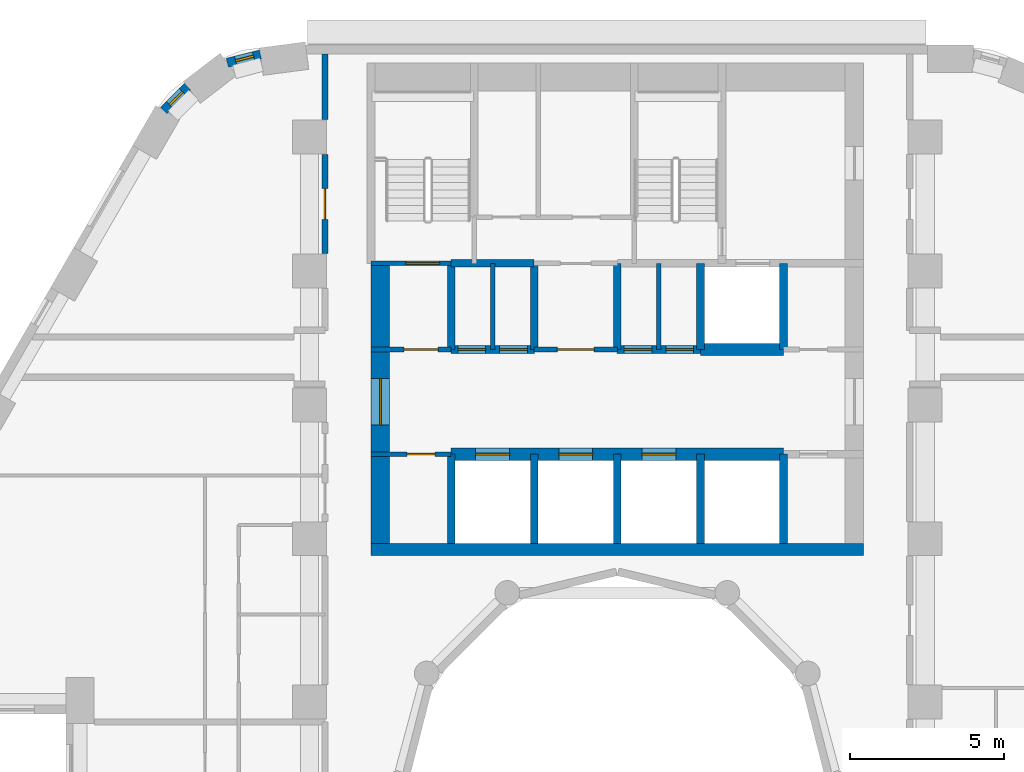
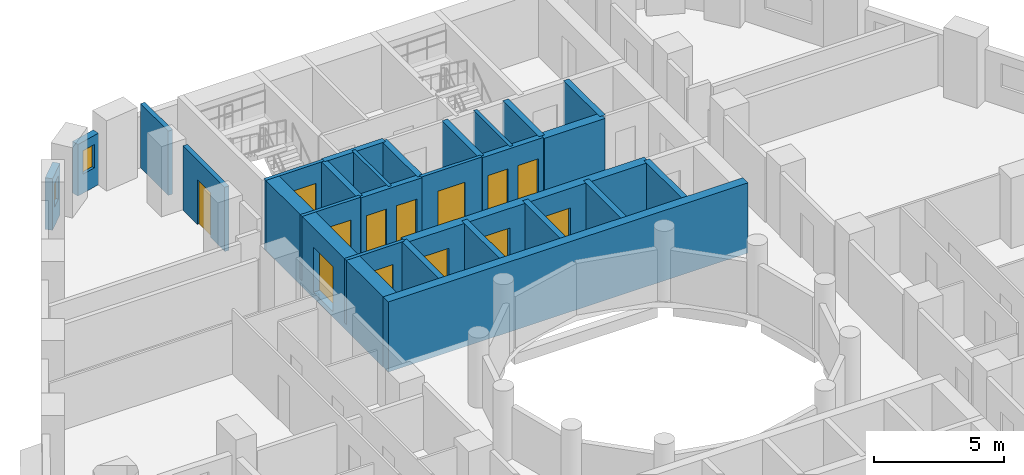
# One storey, part 7 of 12: 27 walls, 13 doors, 2 windows, 15 openings.
"""IFC4 building model written with IfcOpenShell, lengths in metres."""

from ifc_helpers import new_model, si_unit, direction, frame, frame_2d, origin, place, context, subcontext, project, spatial, rectangle, extrude, material, layer, layer_set, type_object, element, fill, save


model = new_model("IFC4")

# Units and contexts
model_context = context("Model", 3, precision=1e-05, world=origin(), true_north=direction((0.0, 1.0)))
body_context = subcontext(model_context, "Body", "Model", "MODEL_VIEW")
ifc_project = project(units=[si_unit("LENGTHUNIT", "METRE"), si_unit("AREAUNIT", "SQUARE_METRE"), si_unit("VOLUMEUNIT", "CUBIC_METRE"), si_unit("PLANEANGLEUNIT", "RADIAN"), si_unit("MASSUNIT", "GRAM", prefix="KILO")], contexts=[model_context])

# Site, building, storey
site_placement = place(None, origin())
site = spatial("IfcSite", under=ifc_project, at=site_placement, CompositionType="ELEMENT")
building_placement = place(site_placement, origin())
building = spatial("IfcBuilding", under=site, at=building_placement, Name="Nakaniwa Court", CompositionType="ELEMENT")
storey_placement = place(building_placement, frame((0.0, 0.0, 57.89990234375)))
storey = spatial("IfcBuildingStorey", under=building, at=storey_placement, Name="L15", CompositionType="ELEMENT", Elevation=57.89990234375)

# Wall, opening, door
ifc_material_1 = material(Name="Acoustic double stud partition")
ifc_layer_1 = layer(ifc_material_1, 0.199951171875)
ifc_layer_set_1 = layer_set([ifc_layer_1], Name="Acoustic double stud partition")
wall_type_1 = type_object("IfcWallType", Name="Acoustic double stud partition 200", PredefinedType="PARTITIONING", material=ifc_layer_set_1)
wall_1_placement = place(storey_placement, frame((70.5, 97.217041015625, 0.0), z_axis=(0.0, 0.0, 1.0), x_axis=(0.0, 1.0, 0.0)))
wall_1 = element("IfcWall", 1, at=wall_1_placement, inside=storey, type_object=wall_type_1, Name="Partition PW-109", PredefinedType="PARTITIONING", context=body_context, shape_type="SweptSolid", body=[
    extrude(rectangle(XDim=3.216064453125, YDim=0.199951171875, at=frame_2d((1.60791015625, 0.0))), origin(), (0.0, 0.0, 1.0), 3.025146484375),
])
opening_1_placement = place(wall_1_placement, frame((1.10791015625, 0.0, 0.0)))
opening_1 = element("IfcOpeningElement", 2, at=opening_1_placement, cuts=wall_1, Name="Opening D-02-04", PredefinedType="OPENING", context=body_context, shape_type="SweptSolid", body=[
    extrude(rectangle(XDim=1.0, YDim=2.10009765625, at=frame_2d((0.5, 1.050048828125))), frame((0.0, 0.10986328125, 0.0), z_axis=(0.0, -1.0, 0.0), x_axis=(1.0, 0.0, 0.0)), (0.0, 0.0, 1.0), 0.219970703125),
])
ifc_material_2 = material(Name="Solid core timber door set, black veneer", Category="wood")
door_type_1 = type_object("IfcDoorType", Name="Internal door 1000", OperationType="NOTDEFINED", PredefinedType="DOOR", material=ifc_material_2)
door_1_placement = place(opening_1_placement, origin())
door_1 = element("IfcDoor", 3, at=door_1_placement, inside=storey, type_object=door_type_1, Name="Door D-02-04 L15-052", OperationType="SINGLE_SWING_LEFT", OverallHeight=2.10009765625, OverallWidth=1.0, PredefinedType="DOOR", context=body_context, shape_type="SweptSolid", body=[
    extrude(rectangle(XDim=1.0, YDim=2.10009765625, at=frame_2d((0.5, 1.050048828125))), frame((0.0, 0.02490234375, 0.0), z_axis=(0.0, -1.0, 0.0), x_axis=(1.0, 0.0, 0.0)), (0.0, 0.0, 1.0), 0.050048828125),
])
fill(opening_1, door_1)

# Wall
wall_2_placement = place(storey_placement, frame((70.5, 101.56689453125, 0.0), z_axis=(0.0, 0.0, 1.0), x_axis=(0.0, 1.0, 0.0)))
element("IfcWall", 4, at=wall_2_placement, inside=storey, type_object=wall_type_1, Name="Partition PW-110", PredefinedType="PARTITIONING", context=body_context, shape_type="SweptSolid", body=[
    extrude(rectangle(XDim=2.133056640625, YDim=0.199951171875, at=frame_2d((1.06640625, 0.0))), origin(), (0.0, 0.0, 1.0), 3.025146484375),
])

# Wall, opening, window
ifc_material_3 = material(Name="Charcoal ceramic cladding")
ifc_layer_2 = layer(ifc_material_3, 0.02, Name="Ceramic cladding")
ifc_material_4 = material(Name="Ventilated air cavity")
ifc_layer_3 = layer(ifc_material_4, 0.04, ventilated=True, Name="Ventilated cavity")
ifc_material_5 = material(Name="Mineral wool insulation")
ifc_layer_4 = layer(ifc_material_5, 0.1, Name="Insulation")
ifc_material_6 = material(Name="Cement bonded sheathing board")
ifc_layer_5 = layer(ifc_material_6, 0.012, Name="Sheathing")
ifc_material_7 = material(Name="Cold-formed galvanised stud frame with mineral wool infill")
ifc_layer_6 = layer(ifc_material_7, 0.1, Name="Stud frame")
ifc_material_8 = material(Name="Fire-rated gypsum plasterboard lining")
ifc_layer_7 = layer(ifc_material_8, 0.028, Name="Lining")
ifc_layer_set_2 = layer_set([ifc_layer_2, ifc_layer_3, ifc_layer_4, ifc_layer_5, ifc_layer_6, ifc_layer_7], Name="Charcoal ceramic faced external wall system")
wall_type_2 = type_object("IfcWallType", Name="Black ceramic faced external wall 300", PredefinedType="SOLIDWALL", material=ifc_layer_set_2)
wall_3_placement = place(storey_placement, frame((68.4052734375, 103.68310546875, 0.0), z_axis=(0.0, 0.0, 1.0), x_axis=(-0.969766298956, -0.244035500304, 0.0)))
wall_3 = element("IfcWall", 5, at=wall_3_placement, inside=storey, type_object=wall_type_2, Name="L15 external wall 09", PredefinedType="SOLIDWALL", context=body_context, shape_type="SweptSolid", body=[
    extrude(rectangle(XDim=1.110595703125, YDim=0.300048828125, at=frame_2d((0.55517578125, 0.0))), origin(), (0.0, 0.0, 1.0), 2.425048828125),
])
opening_2_placement = place(wall_3_placement, frame((0.230712890625, 0.0, 0.89990234375)))
opening_2 = element("IfcOpeningElement", 6, at=opening_2_placement, cuts=wall_3, Name="Opening W8.07", PredefinedType="OPENING", context=body_context, shape_type="SweptSolid", body=[
    extrude(rectangle(XDim=0.60009765625, YDim=1.10009765625, at=frame_2d((0.300048828125, 0.550048828125))), frame((0.0, 0.159912109375, 0.0), z_axis=(0.0, -1.0, 0.0), x_axis=(1.0, 0.0, 0.0)), (0.0, 0.0, 1.0), 0.320068359375),
])
ifc_material_9 = material(Name="Black anodised aluminium frame with dark low-E laminated double glazing", Category="aluminium")
window_type = type_object("IfcWindowType", Name="Dark glass window 600x1100 sill 900", PartitioningType="SINGLE_PANEL", PredefinedType="WINDOW", material=ifc_material_9)
window_1_placement = place(opening_2_placement, origin())
window_1 = element("IfcWindow", 7, at=window_1_placement, inside=storey, type_object=window_type, Name="L15 habitable room window 09-0", OverallHeight=1.10009765625, OverallWidth=0.60009765625, PartitioningType="SINGLE_PANEL", PredefinedType="WINDOW", context=body_context, shape_type="SweptSolid", body=[
    extrude(rectangle(XDim=0.60009765625, YDim=1.10009765625, at=frame_2d((0.300048828125, 0.550048828125))), frame((0.0, 0.030029296875, 0.0), z_axis=(0.0, -1.0, 0.0), x_axis=(1.0, 0.0, 0.0)), (0.0, 0.0, 1.0), 0.06005859375),
])
fill(opening_2, window_1)

wall_4_placement = place(storey_placement, frame((66.04150390625, 102.637451171875, 0.0), z_axis=(0.0, 0.0, 1.0), x_axis=(-0.708892395813, -0.705316646024, 0.0)))
wall_4 = element("IfcWall", 8, at=wall_4_placement, inside=storey, type_object=wall_type_2, Name="L15 external wall 10", PredefinedType="SOLIDWALL", context=body_context, shape_type="SweptSolid", body=[
    extrude(rectangle(XDim=1.092529296875, YDim=0.300048828125, at=frame_2d((0.54638671875, 0.0))), origin(), (0.0, 0.0, 1.0), 2.425048828125),
])
opening_3_placement = place(wall_4_placement, frame((0.23583984375, 0.0, 0.89990234375)))
opening_3 = element("IfcOpeningElement", 9, at=opening_3_placement, cuts=wall_4, Name="Opening W8.08", PredefinedType="OPENING", context=body_context, shape_type="SweptSolid", body=[
    extrude(rectangle(XDim=0.60009765625, YDim=1.10009765625, at=frame_2d((0.300048828125, 0.550048828125))), frame((0.0, 0.159912109375, 0.0), z_axis=(0.0, -1.0, 0.0), x_axis=(1.0, 0.0, 0.0)), (0.0, 0.0, 1.0), 0.320068359375),
])
window_2_placement = place(opening_3_placement, origin())
window_2 = element("IfcWindow", 10, at=window_2_placement, inside=storey, type_object=window_type, Name="L15 habitable room window 10-0", OverallHeight=1.10009765625, OverallWidth=0.60009765625, PartitioningType="SINGLE_PANEL", PredefinedType="WINDOW", context=body_context, shape_type="SweptSolid", body=[
    extrude(rectangle(XDim=0.60009765625, YDim=1.10009765625, at=frame_2d((0.300048828125, 0.550048828125))), frame((0.0, 0.030029296875, 0.0), z_axis=(0.0, -1.0, 0.0), x_axis=(1.0, 0.0, 0.0)), (0.0, 0.0, 1.0), 0.06005859375),
])
fill(opening_3, window_2)

# Wall, opening, door
ifc_material_10 = material(Name="Blockwork partition", Category="masonry")
ifc_layer_8 = layer(ifc_material_10, 0.14990234375)
ifc_layer_set_3 = layer_set([ifc_layer_8], Name="Blockwork partition")
wall_type_3 = type_object("IfcWallType", Name="Blockwork partition 150", PredefinedType="PARTITIONING", material=ifc_layer_set_3)
wall_5_placement = place(storey_placement, frame((74.60009765625, 90.699951171875, 0.0), z_axis=(0.0, 0.0, 1.0), x_axis=(-1.0, 0.0, 0.0)))
wall_5 = element("IfcWall", 11, at=wall_5_placement, inside=storey, type_object=wall_type_3, Name="Partition PW-003", PredefinedType="PARTITIONING", context=body_context, shape_type="SweptSolid", body=[
    extrude(rectangle(XDim=2.60009765625, YDim=0.14990234375, at=frame_2d((1.300048828125, 0.0))), origin(), (0.0, 0.0, 1.0), 3.025146484375),
])
opening_4_placement = place(wall_5_placement, frame((0.52490234375, 0.0, 0.0)))
opening_4 = element("IfcOpeningElement", 12, at=opening_4_placement, cuts=wall_5, Name="Opening D-05-01", PredefinedType="OPENING", context=body_context, shape_type="SweptSolid", body=[
    extrude(rectangle(XDim=0.89990234375, YDim=2.10009765625, at=frame_2d((0.449951171875, 1.050048828125))), frame((0.0, 0.0849609375, 0.0), z_axis=(0.0, -1.0, 0.0), x_axis=(1.0, 0.0, 0.0)), (0.0, 0.0, 1.0), 0.169921875),
])
ifc_material_11 = material(Name="Fire rated steel door set", Category="steel")
door_type_2 = type_object("IfcDoorType", Name="Service room door 900", OperationType="NOTDEFINED", PredefinedType="DOOR", material=ifc_material_11)
door_2_placement = place(opening_4_placement, origin())
door_2 = element("IfcDoor", 13, at=door_2_placement, inside=storey, type_object=door_type_2, Name="Door D-05-01 L15-001", OperationType="SINGLE_SWING_RIGHT", OverallHeight=2.10009765625, OverallWidth=0.89990234375, PredefinedType="DOOR", context=body_context, shape_type="SweptSolid", body=[
    extrude(rectangle(XDim=0.89990234375, YDim=2.10009765625, at=frame_2d((0.449951171875, 1.050048828125))), frame((0.0, 0.02490234375, 0.0), z_axis=(0.0, -1.0, 0.0), x_axis=(1.0, 0.0, 0.0)), (0.0, 0.0, 1.0), 0.050048828125),
])
fill(opening_4, door_2)

wall_6_placement = place(storey_placement, frame((72.0, 94.10009765625, 0.0), z_axis=(0.0, 0.0, 1.0), x_axis=(1.0, 0.0, 0.0)))
wall_6 = element("IfcWall", 14, at=wall_6_placement, inside=storey, type_object=wall_type_3, Name="Partition PW-016", PredefinedType="PARTITIONING", context=body_context, shape_type="SweptSolid", body=[
    extrude(rectangle(XDim=2.60302734375, YDim=0.14990234375, at=frame_2d((1.301513671875, 0.0))), origin(), (0.0, 0.0, 1.0), 3.025146484375),
])
opening_5_placement = place(wall_6_placement, frame((1.074951171875, 0.0, 0.0)))
opening_5 = element("IfcOpeningElement", 15, at=opening_5_placement, cuts=wall_6, Name="Opening D-08-01", PredefinedType="OPENING", context=body_context, shape_type="SweptSolid", body=[
    extrude(rectangle(XDim=1.10009765625, YDim=2.10009765625, at=frame_2d((0.550048828125, 1.050048828125))), frame((0.0, 0.0849609375, 0.0), z_axis=(0.0, -1.0, 0.0), x_axis=(1.0, 0.0, 0.0)), (0.0, 0.0, 1.0), 0.169921875),
])
door_type_3 = type_object("IfcDoorType", Name="Stair lobby door 1100", OperationType="NOTDEFINED", PredefinedType="DOOR", material=ifc_material_11)
door_3_placement = place(opening_5_placement, origin())
door_3 = element("IfcDoor", 16, at=door_3_placement, inside=storey, type_object=door_type_3, Name="Door D-08-01 L15-003", OperationType="SINGLE_SWING_RIGHT", OverallHeight=2.10009765625, OverallWidth=1.10009765625, PredefinedType="DOOR", context=body_context, shape_type="SweptSolid", body=[
    extrude(rectangle(XDim=1.10009765625, YDim=2.10009765625, at=frame_2d((0.550048828125, 1.050048828125))), frame((0.0, 0.02490234375, 0.0), z_axis=(0.0, -1.0, 0.0), x_axis=(1.0, 0.0, 0.0)), (0.0, 0.0, 1.0), 0.050048828125),
])
fill(opening_5, door_3)

wall_7_placement = place(storey_placement, frame((77.297119140625, 94.10009765625, 0.0), z_axis=(0.0, 0.0, 1.0), x_axis=(1.0, 0.0, 0.0)))
wall_7 = element("IfcWall", 17, at=wall_7_placement, inside=storey, type_object=wall_type_3, Name="Partition PW-017", PredefinedType="PARTITIONING", context=body_context, shape_type="SweptSolid", body=[
    extrude(rectangle(XDim=2.705810546875, YDim=0.14990234375, at=frame_2d((1.35302734375, 0.0))), origin(), (0.0, 0.0, 1.0), 3.025146484375),
])
opening_6_placement = place(wall_7_placement, frame((0.7529296875, 0.0, 0.0)))
opening_6 = element("IfcOpeningElement", 18, at=opening_6_placement, cuts=wall_7, Name="Opening D-06-01", PredefinedType="OPENING", context=body_context, shape_type="SweptSolid", body=[
    extrude(rectangle(XDim=1.199951171875, YDim=2.10009765625, at=frame_2d((0.60009765625, 1.050048828125))), frame((0.0, 0.0849609375, 0.0), z_axis=(0.0, -1.0, 0.0), x_axis=(1.0, 0.0, 0.0)), (0.0, 0.0, 1.0), 0.169921875),
])
ifc_material_12 = material(Name="Fire rated steel double door set", Category="steel")
door_type_4 = type_object("IfcDoorType", Name="Service passage double door 1200", OperationType="NOTDEFINED", PredefinedType="DOOR", material=ifc_material_12)
door_4_placement = place(opening_6_placement, origin())
door_4 = element("IfcDoor", 19, at=door_4_placement, inside=storey, type_object=door_type_4, Name="Door D-06-01 L15-006", OperationType="DOUBLE_DOOR_SINGLE_SWING", OverallHeight=2.10009765625, OverallWidth=1.199951171875, PredefinedType="DOOR", context=body_context, shape_type="SweptSolid", body=[
    extrude(rectangle(XDim=1.199951171875, YDim=2.10009765625, at=frame_2d((0.60009765625, 1.050048828125))), frame((0.0, 0.02490234375, 0.0), z_axis=(0.0, -1.0, 0.0), x_axis=(1.0, 0.0, 0.0)), (0.0, 0.0, 1.0), 0.050048828125),
])
fill(opening_6, door_4)

# Walls
for number, where, z_axis, x_axis, name in (
    (20, (75.949951171875, 94.10009765625, 0.0), (0.0, 0.0, 1.0), (0.0, 1.0, 0.0), "Partition PW-023"),
    (21, (81.35009765625, 94.10009765625, 0.0), (0.0, 0.0, 1.0), (0.0, 1.0, 0.0), "Partition PW-027"),
):
    element("IfcWall", number, at=place(storey_placement, frame(where, z_axis=z_axis, x_axis=x_axis)), inside=storey, type_object=wall_type_3, Name=name, PredefinedType="PARTITIONING", context=body_context, shape_type="SweptSolid", body=[
        extrude(rectangle(XDim=2.7998046875, YDim=0.14990234375, at=frame_2d((1.39990234375, 0.0))), origin(), (0.0, 0.0, 1.0), 3.025146484375),
    ])

# Wall, opening, door
ifc_material_13 = material(Name="Concrete C100/115", Category="concrete")
ifc_layer_9 = layer(ifc_material_13, 0.60009765625)
ifc_layer_set_4 = layer_set([ifc_layer_9], Name="Concrete C100/115")
wall_type_4 = type_object("IfcWallType", Name="Concrete core side wall 600 C100", PredefinedType="SHEAR", material=ifc_layer_set_4)
wall_8_placement = place(storey_placement, frame((72.300048828125, 87.800048828125, -0.27490234375), z_axis=(0.0, 0.0, 1.0), x_axis=(0.0, 1.0, 0.0)))
wall_8 = element("IfcWall", 22, at=wall_8_placement, inside=storey, type_object=wall_type_4, Name="Core wall SW-04", PredefinedType="SHEAR", context=body_context, shape_type="SweptSolid", body=[
    extrude(rectangle(XDim=9.099853515625, YDim=0.60009765625, at=frame_2d((4.5498046875, 0.0))), origin(), (0.0, 0.0, 1.0), 3.300048828125),
])
opening_7_placement = place(wall_8_placement, frame((3.85009765625, 0.0, 0.27490234375)))
opening_7 = element("IfcOpeningElement", 23, at=opening_7_placement, cuts=wall_8, Name="Opening D-07-02", PredefinedType="OPENING", context=body_context, shape_type="SweptSolid", body=[
    extrude(rectangle(XDim=1.5, YDim=2.10009765625, at=frame_2d((0.75, 1.050048828125))), frame((0.0, 0.31005859375, 0.0), z_axis=(0.0, -1.0, 0.0), x_axis=(1.0, 0.0, 0.0)), (0.0, 0.0, 1.0), 0.6201171875),
])
ifc_material_14 = material(Name="Glazed fire rated steel double door set", Category="steel")
door_type_5 = type_object("IfcDoorType", Name="Lobby double door 1500", OperationType="NOTDEFINED", PredefinedType="DOOR", material=ifc_material_14)
door_5_placement = place(opening_7_placement, origin())
door_5 = element("IfcDoor", 24, at=door_5_placement, inside=storey, type_object=door_type_5, Name="Door D-07-02 L15-057", OperationType="DOUBLE_DOOR_SINGLE_SWING", OverallHeight=2.10009765625, OverallWidth=1.5, PredefinedType="DOOR", context=body_context, shape_type="SweptSolid", body=[
    extrude(rectangle(XDim=1.5, YDim=2.10009765625, at=frame_2d((0.75, 1.050048828125))), frame((0.0, 0.02490234375, 0.0), z_axis=(0.0, -1.0, 0.0), x_axis=(1.0, 0.0, 0.0)), (0.0, 0.0, 1.0), 0.050048828125),
])
fill(opening_7, door_5)

# Wall, openings, doors
ifc_layer_10 = layer(ifc_material_13, 0.39990234375)
ifc_layer_set_5 = layer_set([ifc_layer_10], Name="Concrete C100/115")
wall_type_5 = type_object("IfcWallType", Name="Concrete core spine wall 400 C100", PredefinedType="SHEAR", material=ifc_layer_set_5)
wall_9_placement = place(storey_placement, frame((74.60009765625, 90.699951171875, -0.27490234375), z_axis=(0.0, 0.0, 1.0), x_axis=(1.0, 0.0, 0.0)))
wall_9 = element("IfcWall", 25, at=wall_9_placement, inside=storey, type_object=wall_type_5, Name="Core wall SW-07", PredefinedType="SHEAR", context=body_context, shape_type="SweptSolid", body=[
    extrude(rectangle(XDim=10.7998046875, YDim=0.39990234375, at=frame_2d((5.39990234375, 0.0))), origin(), (0.0, 0.0, 1.0), 3.300048828125),
])
opening_8_placement = place(wall_9_placement, frame((0.800048828125, 0.0, 0.27490234375)))
opening_8 = element("IfcOpeningElement", 26, at=opening_8_placement, cuts=wall_9, Name="Opening LD01", PredefinedType="OPENING", context=body_context, shape_type="SweptSolid", body=[
    extrude(rectangle(XDim=1.10009765625, YDim=2.10009765625, at=frame_2d((0.550048828125, 1.050048828125))), frame((0.0, 0.2099609375, 0.0), z_axis=(0.0, -1.0, 0.0), x_axis=(1.0, 0.0, 0.0)), (0.0, 0.0, 1.0), 0.419921875),
])
opening_9_placement = place(wall_9_placement, frame((3.5, 0.0, 0.27490234375)))
opening_9 = element("IfcOpeningElement", 27, at=opening_9_placement, cuts=wall_9, Name="Opening LD02", PredefinedType="OPENING", context=body_context, shape_type="SweptSolid", body=[
    extrude(rectangle(XDim=1.10009765625, YDim=2.10009765625, at=frame_2d((0.550048828125, 1.050048828125))), frame((0.0, 0.2099609375, 0.0), z_axis=(0.0, -1.0, 0.0), x_axis=(1.0, 0.0, 0.0)), (0.0, 0.0, 1.0), 0.419921875),
])
opening_10_placement = place(wall_9_placement, frame((6.199951171875, 0.0, 0.27490234375)))
opening_10 = element("IfcOpeningElement", 28, at=opening_10_placement, cuts=wall_9, Name="Opening LD03", PredefinedType="OPENING", context=body_context, shape_type="SweptSolid", body=[
    extrude(rectangle(XDim=1.10009765625, YDim=2.10009765625, at=frame_2d((0.550048828125, 1.050048828125))), frame((0.0, 0.2099609375, 0.0), z_axis=(0.0, -1.0, 0.0), x_axis=(1.0, 0.0, 0.0)), (0.0, 0.0, 1.0), 0.419921875),
])
ifc_material_15 = material(Name="Stainless steel sliding lift landing door", Category="steel")
door_type_6 = type_object("IfcDoorType", Name="Lift landing door 1100", OperationType="NOTDEFINED", PredefinedType="DOOR", material=ifc_material_15)
door_6_placement = place(opening_8_placement, origin())
door_6 = element("IfcDoor", 29, at=door_6_placement, inside=storey, type_object=door_type_6, Name="Lift landing door LD01 L15-001", OperationType="SLIDING_TO_LEFT", OverallHeight=2.10009765625, OverallWidth=1.10009765625, PredefinedType="DOOR", context=body_context, shape_type="SweptSolid", body=[
    extrude(rectangle(XDim=1.10009765625, YDim=2.10009765625, at=frame_2d((0.550048828125, 1.050048828125))), frame((0.0, 0.02490234375, 0.0), z_axis=(0.0, -1.0, 0.0), x_axis=(1.0, 0.0, 0.0)), (0.0, 0.0, 1.0), 0.050048828125),
])
fill(opening_8, door_6)
door_7_placement = place(opening_9_placement, origin())
door_7 = element("IfcDoor", 30, at=door_7_placement, inside=storey, type_object=door_type_6, Name="Lift landing door LD02 L15-002", OperationType="SLIDING_TO_LEFT", OverallHeight=2.10009765625, OverallWidth=1.10009765625, PredefinedType="DOOR", context=body_context, shape_type="SweptSolid", body=[
    extrude(rectangle(XDim=1.10009765625, YDim=2.10009765625, at=frame_2d((0.550048828125, 1.050048828125))), frame((0.0, 0.02490234375, 0.0), z_axis=(0.0, -1.0, 0.0), x_axis=(1.0, 0.0, 0.0)), (0.0, 0.0, 1.0), 0.050048828125),
])
fill(opening_9, door_7)
door_8_placement = place(opening_10_placement, origin())
door_8 = element("IfcDoor", 31, at=door_8_placement, inside=storey, type_object=door_type_6, Name="Lift landing door LD03 L15-003", OperationType="SLIDING_TO_LEFT", OverallHeight=2.10009765625, OverallWidth=1.10009765625, PredefinedType="DOOR", context=body_context, shape_type="SweptSolid", body=[
    extrude(rectangle(XDim=1.10009765625, YDim=2.10009765625, at=frame_2d((0.550048828125, 1.050048828125))), frame((0.0, 0.02490234375, 0.0), z_axis=(0.0, -1.0, 0.0), x_axis=(1.0, 0.0, 0.0)), (0.0, 0.0, 1.0), 0.050048828125),
])
fill(opening_10, door_8)

# Wall
wall_10_placement = place(storey_placement, frame((82.697021484375, 94.10009765625, -0.27490234375), z_axis=(0.0, 0.0, 1.0), x_axis=(1.0, 0.0, 0.0)))
element("IfcWall", 32, at=wall_10_placement, inside=storey, type_object=wall_type_5, Name="Core wall SW-21", PredefinedType="SHEAR", context=body_context, shape_type="SweptSolid", body=[
    extrude(rectangle(XDim=2.7060546875, YDim=0.39990234375, at=frame_2d((1.35302734375, 0.0))), origin(), (0.0, 0.0, 1.0), 3.300048828125),
])

# Wall, opening, door
ifc_layer_11 = layer(ifc_material_13, 0.14990234375)
ifc_layer_set_6 = layer_set([ifc_layer_11], Name="Concrete C100/115")
wall_type_6 = type_object("IfcWallType", Name="Concrete core wall 150 C100", PredefinedType="SHEAR", material=ifc_layer_set_6)
wall_11_placement = place(storey_placement, frame((74.60009765625, 96.89990234375, -0.27490234375), z_axis=(0.0, 0.0, 1.0), x_axis=(-1.0, 0.0, 0.0)))
wall_11 = element("IfcWall", 33, at=wall_11_placement, inside=storey, type_object=wall_type_6, Name="Core wall SW-22", PredefinedType="SHEAR", context=body_context, shape_type="SweptSolid", body=[
    extrude(rectangle(XDim=2.60009765625, YDim=0.14990234375, at=frame_2d((1.300048828125, 0.0))), origin(), (0.0, 0.0, 1.0), 3.300048828125),
])
opening_11_placement = place(wall_11_placement, frame((0.3701171875, 0.0, 0.27490234375)))
opening_11 = element("IfcOpeningElement", 34, at=opening_11_placement, cuts=wall_11, Name="Opening D-09-01", PredefinedType="OPENING", context=body_context, shape_type="SweptSolid", body=[
    extrude(rectangle(XDim=1.10009765625, YDim=2.10009765625, at=frame_2d((0.550048828125, 1.050048828125))), frame((0.0, 0.0849609375, 0.0), z_axis=(0.0, -1.0, 0.0), x_axis=(1.0, 0.0, 0.0)), (0.0, 0.0, 1.0), 0.169921875),
])
door_type_7 = type_object("IfcDoorType", Name="Stair door 1100", OperationType="NOTDEFINED", PredefinedType="DOOR", material=ifc_material_11)
door_9_placement = place(opening_11_placement, origin())
door_9 = element("IfcDoor", 35, at=door_9_placement, inside=storey, type_object=door_type_7, Name="Door D-09-01 L15-013", OperationType="SINGLE_SWING_LEFT", OverallHeight=2.10009765625, OverallWidth=1.10009765625, PredefinedType="DOOR", context=body_context, shape_type="SweptSolid", body=[
    extrude(rectangle(XDim=1.10009765625, YDim=2.10009765625, at=frame_2d((0.550048828125, 1.050048828125))), frame((0.0, 0.02490234375, 0.0), z_axis=(0.0, -1.0, 0.0), x_axis=(1.0, 0.0, 0.0)), (0.0, 0.0, 1.0), 0.050048828125),
])
fill(opening_11, door_9)

# Walls
ifc_layer_12 = layer(ifc_material_13, 0.39990234375)
ifc_layer_set_7 = layer_set([ifc_layer_12], Name="Concrete C100/115")
wall_type_7 = type_object("IfcWallType", Name="Concrete core well wall 400 C100", PredefinedType="SHEAR", material=ifc_layer_set_7)
wall_12_placement = place(storey_placement, frame((72.00390625, 87.60009765625, -0.27490234375), z_axis=(0.0, 0.0, 1.0), x_axis=(1.0, 0.0, 0.0)))
element("IfcWall", 36, at=wall_12_placement, inside=storey, type_object=wall_type_7, Name="Core wall SW-133", PredefinedType="SHEAR", context=body_context, shape_type="SweptSolid", body=[
    extrude(rectangle(XDim=15.9921875, YDim=0.39990234375, at=frame_2d((7.99609375, 0.0))), origin(), (0.0, 0.0, 1.0), 3.300048828125),
])
ifc_layer_13 = layer(ifc_material_13, 0.25)
ifc_layer_set_8 = layer_set([ifc_layer_13], Name="Concrete C100/115")
wall_type_8 = type_object("IfcWallType", Name="Concrete shaft wall 250 C100", PredefinedType="SHEAR", material=ifc_layer_set_8)
wall_13_placement = place(storey_placement, frame((74.60009765625, 87.800048828125, -0.27490234375), z_axis=(0.0, 0.0, 1.0), x_axis=(0.0, 1.0, 0.0)))
element("IfcWall", 37, at=wall_13_placement, inside=storey, type_object=wall_type_8, Name="Core wall SW-01", PredefinedType="SHEAR", context=body_context, shape_type="SweptSolid", body=[
    extrude(rectangle(XDim=2.89990234375, YDim=0.25, at=frame_2d((1.449951171875, 0.0))), origin(), (0.0, 0.0, 1.0), 3.300048828125),
])
wall_14_placement = place(storey_placement, frame((74.60009765625, 94.10009765625, -0.27490234375), z_axis=(0.0, 0.0, 1.0), x_axis=(0.0, 1.0, 0.0)))
element("IfcWall", 38, at=wall_14_placement, inside=storey, type_object=wall_type_8, Name="Core wall SW-02", PredefinedType="SHEAR", context=body_context, shape_type="SweptSolid", body=[
    extrude(rectangle(XDim=2.7998046875, YDim=0.25, at=frame_2d((1.39990234375, 0.0))), origin(), (0.0, 0.0, 1.0), 3.300048828125),
])
wall_15_placement = place(storey_placement, frame((77.300048828125, 87.800048828125, -0.27490234375), z_axis=(0.0, 0.0, 1.0), x_axis=(0.0, 1.0, 0.0)))
element("IfcWall", 39, at=wall_15_placement, inside=storey, type_object=wall_type_8, Name="Core wall SW-05", PredefinedType="SHEAR", context=body_context, shape_type="SweptSolid", body=[
    extrude(rectangle(XDim=2.89990234375, YDim=0.25, at=frame_2d((1.449951171875, 0.0))), origin(), (0.0, 0.0, 1.0), 3.300048828125),
])
wall_16_placement = place(storey_placement, frame((77.300048828125, 94.10009765625, -0.27490234375), z_axis=(0.0, 0.0, 1.0), x_axis=(0.0, 1.0, 0.0)))
element("IfcWall", 40, at=wall_16_placement, inside=storey, type_object=wall_type_8, Name="Core wall SW-06", PredefinedType="SHEAR", context=body_context, shape_type="SweptSolid", body=[
    extrude(rectangle(XDim=2.7998046875, YDim=0.25, at=frame_2d((1.39990234375, 0.0))), origin(), (0.0, 0.0, 1.0), 3.300048828125),
])
wall_17_placement = place(storey_placement, frame((80.0, 87.800048828125, -0.27490234375), z_axis=(0.0, 0.0, 1.0), x_axis=(0.0, 1.0, 0.0)))
element("IfcWall", 41, at=wall_17_placement, inside=storey, type_object=wall_type_8, Name="Core wall SW-08", PredefinedType="SHEAR", context=body_context, shape_type="SweptSolid", body=[
    extrude(rectangle(XDim=2.89990234375, YDim=0.25, at=frame_2d((1.449951171875, 0.0))), origin(), (0.0, 0.0, 1.0), 3.300048828125),
])
wall_18_placement = place(storey_placement, frame((80.0, 94.10009765625, -0.27490234375), z_axis=(0.0, 0.0, 1.0), x_axis=(0.0, 1.0, 0.0)))
element("IfcWall", 42, at=wall_18_placement, inside=storey, type_object=wall_type_8, Name="Core wall SW-09", PredefinedType="SHEAR", context=body_context, shape_type="SweptSolid", body=[
    extrude(rectangle(XDim=2.7998046875, YDim=0.25, at=frame_2d((1.39990234375, 0.0))), origin(), (0.0, 0.0, 1.0), 3.300048828125),
])
wall_19_placement = place(storey_placement, frame((82.699951171875, 87.800048828125, -0.27490234375), z_axis=(0.0, 0.0, 1.0), x_axis=(0.0, 1.0, 0.0)))
element("IfcWall", 43, at=wall_19_placement, inside=storey, type_object=wall_type_8, Name="Core wall SW-10", PredefinedType="SHEAR", context=body_context, shape_type="SweptSolid", body=[
    extrude(rectangle(XDim=2.89990234375, YDim=0.25, at=frame_2d((1.449951171875, 0.0))), origin(), (0.0, 0.0, 1.0), 3.300048828125),
])
wall_20_placement = place(storey_placement, frame((82.699951171875, 94.10009765625, -0.27490234375), z_axis=(0.0, 0.0, 1.0), x_axis=(0.0, 1.0, 0.0)))
element("IfcWall", 44, at=wall_20_placement, inside=storey, type_object=wall_type_8, Name="Core wall SW-11", PredefinedType="SHEAR", context=body_context, shape_type="SweptSolid", body=[
    extrude(rectangle(XDim=2.7998046875, YDim=0.25, at=frame_2d((1.39990234375, 0.0))), origin(), (0.0, 0.0, 1.0), 3.300048828125),
])
wall_21_placement = place(storey_placement, frame((85.39990234375, 87.800048828125, -0.27490234375), z_axis=(0.0, 0.0, 1.0), x_axis=(0.0, 1.0, 0.0)))
element("IfcWall", 45, at=wall_21_placement, inside=storey, type_object=wall_type_8, Name="Core wall SW-12", PredefinedType="SHEAR", context=body_context, shape_type="SweptSolid", body=[
    extrude(rectangle(XDim=2.89990234375, YDim=0.25, at=frame_2d((1.449951171875, 0.0))), origin(), (0.0, 0.0, 1.0), 3.300048828125),
])
wall_22_placement = place(storey_placement, frame((85.39990234375, 94.10009765625, -0.27490234375), z_axis=(0.0, 0.0, 1.0), x_axis=(0.0, 1.0, 0.0)))
element("IfcWall", 46, at=wall_22_placement, inside=storey, type_object=wall_type_8, Name="Core wall SW-13", PredefinedType="SHEAR", context=body_context, shape_type="SweptSolid", body=[
    extrude(rectangle(XDim=2.7998046875, YDim=0.25, at=frame_2d((1.39990234375, 0.0))), origin(), (0.0, 0.0, 1.0), 3.300048828125),
])

# Wall, openings, doors
wall_23_placement = place(storey_placement, frame((74.596923828125, 94.10009765625, -0.27490234375), z_axis=(0.0, 0.0, 1.0), x_axis=(1.0, 0.0, 0.0)))
wall_23 = element("IfcWall", 47, at=wall_23_placement, inside=storey, type_object=wall_type_8, Name="Core wall SW-19", PredefinedType="SHEAR", context=body_context, shape_type="SweptSolid", body=[
    extrude(rectangle(XDim=2.7060546875, YDim=0.25, at=frame_2d((1.35302734375, 0.0))), origin(), (0.0, 0.0, 1.0), 3.300048828125),
])
opening_12_placement = place(wall_23_placement, frame((0.22802734375, 0.0, 0.27490234375)))
opening_12 = element("IfcOpeningElement", 48, at=opening_12_placement, cuts=wall_23, Name="Opening D-05-03", PredefinedType="OPENING", context=body_context, shape_type="SweptSolid", body=[
    extrude(rectangle(XDim=0.89990234375, YDim=2.10009765625, at=frame_2d((0.449951171875, 1.050048828125))), frame((0.0, 0.135009765625, 0.0), z_axis=(0.0, -1.0, 0.0), x_axis=(1.0, 0.0, 0.0)), (0.0, 0.0, 1.0), 0.27001953125),
])
opening_13_placement = place(wall_23_placement, frame((1.577880859375, 0.0, 0.27490234375)))
opening_13 = element("IfcOpeningElement", 49, at=opening_13_placement, cuts=wall_23, Name="Opening D-05-04", PredefinedType="OPENING", context=body_context, shape_type="SweptSolid", body=[
    extrude(rectangle(XDim=0.89990234375, YDim=2.10009765625, at=frame_2d((0.449951171875, 1.050048828125))), frame((0.0, 0.135009765625, 0.0), z_axis=(0.0, -1.0, 0.0), x_axis=(1.0, 0.0, 0.0)), (0.0, 0.0, 1.0), 0.27001953125),
])
door_10_placement = place(opening_12_placement, origin())
door_10 = element("IfcDoor", 50, at=door_10_placement, inside=storey, type_object=door_type_2, Name="Door D-05-03 L15-004", OperationType="SINGLE_SWING_LEFT", OverallHeight=2.10009765625, OverallWidth=0.89990234375, PredefinedType="DOOR", context=body_context, shape_type="SweptSolid", body=[
    extrude(rectangle(XDim=0.89990234375, YDim=2.10009765625, at=frame_2d((0.449951171875, 1.050048828125))), frame((0.0, 0.02490234375, 0.0), z_axis=(0.0, -1.0, 0.0), x_axis=(1.0, 0.0, 0.0)), (0.0, 0.0, 1.0), 0.050048828125),
])
fill(opening_12, door_10)
door_11_placement = place(opening_13_placement, origin())
door_11 = element("IfcDoor", 51, at=door_11_placement, inside=storey, type_object=door_type_2, Name="Door D-05-04 L15-005", OperationType="SINGLE_SWING_RIGHT", OverallHeight=2.10009765625, OverallWidth=0.89990234375, PredefinedType="DOOR", context=body_context, shape_type="SweptSolid", body=[
    extrude(rectangle(XDim=0.89990234375, YDim=2.10009765625, at=frame_2d((0.449951171875, 1.050048828125))), frame((0.0, 0.02490234375, 0.0), z_axis=(0.0, -1.0, 0.0), x_axis=(1.0, 0.0, 0.0)), (0.0, 0.0, 1.0), 0.050048828125),
])
fill(opening_13, door_11)

wall_24_placement = place(storey_placement, frame((79.9970703125, 94.10009765625, -0.27490234375), z_axis=(0.0, 0.0, 1.0), x_axis=(1.0, 0.0, 0.0)))
wall_24 = element("IfcWall", 52, at=wall_24_placement, inside=storey, type_object=wall_type_8, Name="Core wall SW-20", PredefinedType="SHEAR", context=body_context, shape_type="SweptSolid", body=[
    extrude(rectangle(XDim=2.705810546875, YDim=0.25, at=frame_2d((1.35302734375, 0.0))), origin(), (0.0, 0.0, 1.0), 3.300048828125),
])
opening_14_placement = place(wall_24_placement, frame((0.22802734375, 0.0, 0.27490234375)))
opening_14 = element("IfcOpeningElement", 53, at=opening_14_placement, cuts=wall_24, Name="Opening D-05-05", PredefinedType="OPENING", context=body_context, shape_type="SweptSolid", body=[
    extrude(rectangle(XDim=0.89990234375, YDim=2.10009765625, at=frame_2d((0.449951171875, 1.050048828125))), frame((0.0, 0.135009765625, 0.0), z_axis=(0.0, -1.0, 0.0), x_axis=(1.0, 0.0, 0.0)), (0.0, 0.0, 1.0), 0.27001953125),
])
opening_15_placement = place(wall_24_placement, frame((1.577880859375, 0.0, 0.27490234375)))
opening_15 = element("IfcOpeningElement", 54, at=opening_15_placement, cuts=wall_24, Name="Opening D-05-06", PredefinedType="OPENING", context=body_context, shape_type="SweptSolid", body=[
    extrude(rectangle(XDim=0.89990234375, YDim=2.10009765625, at=frame_2d((0.449951171875, 1.050048828125))), frame((0.0, 0.135009765625, 0.0), z_axis=(0.0, -1.0, 0.0), x_axis=(1.0, 0.0, 0.0)), (0.0, 0.0, 1.0), 0.27001953125),
])
door_12_placement = place(opening_14_placement, origin())
door_12 = element("IfcDoor", 55, at=door_12_placement, inside=storey, type_object=door_type_2, Name="Door D-05-05 L15-007", OperationType="SINGLE_SWING_RIGHT", OverallHeight=2.10009765625, OverallWidth=0.89990234375, PredefinedType="DOOR", context=body_context, shape_type="SweptSolid", body=[
    extrude(rectangle(XDim=0.89990234375, YDim=2.10009765625, at=frame_2d((0.449951171875, 1.050048828125))), frame((0.0, 0.02490234375, 0.0), z_axis=(0.0, -1.0, 0.0), x_axis=(1.0, 0.0, 0.0)), (0.0, 0.0, 1.0), 0.050048828125),
])
fill(opening_14, door_12)
door_13_placement = place(opening_15_placement, origin())
door_13 = element("IfcDoor", 56, at=door_13_placement, inside=storey, type_object=door_type_2, Name="Door D-05-06 L15-008", OperationType="SINGLE_SWING_LEFT", OverallHeight=2.10009765625, OverallWidth=0.89990234375, PredefinedType="DOOR", context=body_context, shape_type="SweptSolid", body=[
    extrude(rectangle(XDim=0.89990234375, YDim=2.10009765625, at=frame_2d((0.449951171875, 1.050048828125))), frame((0.0, 0.02490234375, 0.0), z_axis=(0.0, -1.0, 0.0), x_axis=(1.0, 0.0, 0.0)), (0.0, 0.0, 1.0), 0.050048828125),
])
fill(opening_15, door_13)

# Wall
wall_25_placement = place(storey_placement, frame((74.60009765625, 96.89990234375, -0.27490234375), z_axis=(0.0, 0.0, 1.0), x_axis=(1.0, 0.0, 0.0)))
element("IfcWall", 57, at=wall_25_placement, inside=storey, type_object=wall_type_8, Name="Core wall SW-24", PredefinedType="SHEAR", context=body_context, shape_type="SweptSolid", body=[
    extrude(rectangle(XDim=2.699951171875, YDim=0.25, at=frame_2d((1.35009765625, 0.0))), origin(), (0.0, 0.0, 1.0), 3.300048828125),
])

save(model, "model.ifc")
